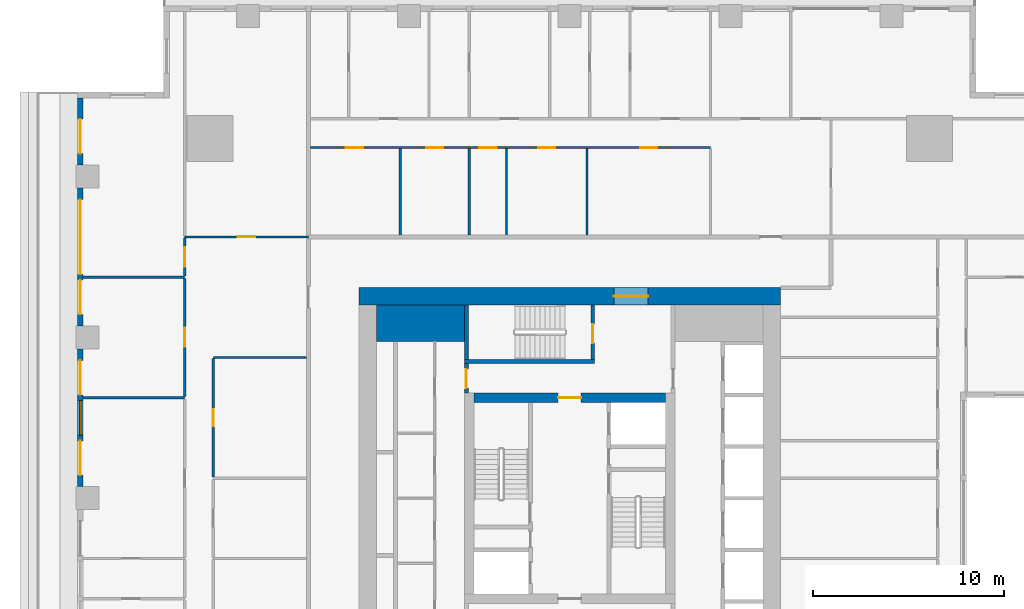
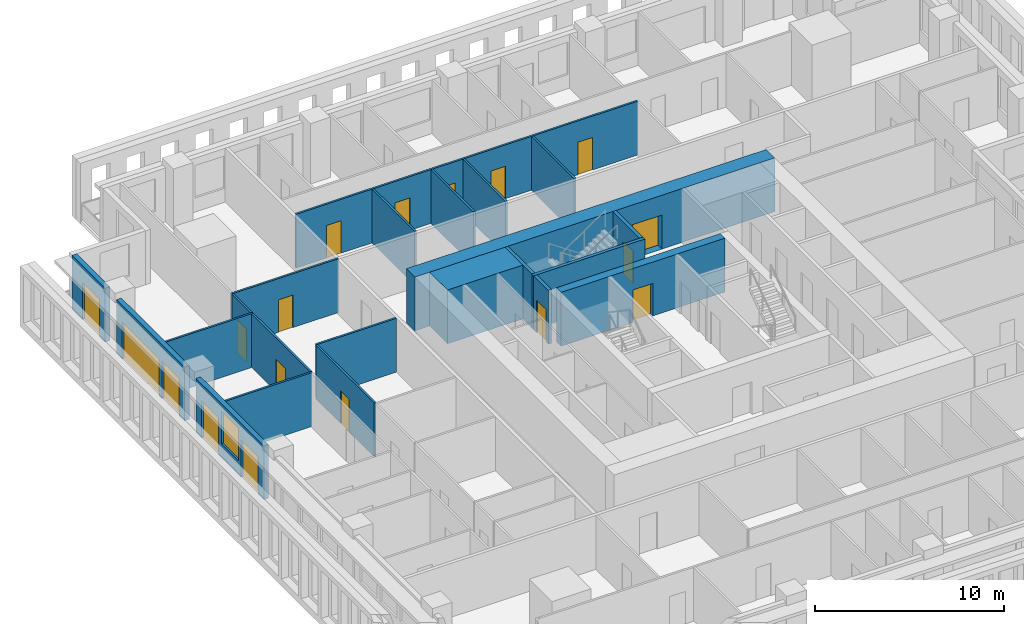
# One storey, part 6 of 15: 22 walls, 18 doors, 1 window, 19 openings.
"""IFC4 building model written with IfcOpenShell, lengths in metres."""

from ifc_helpers import new_model, si_unit, direction, frame, frame_2d, origin, place, context, subcontext, project, spatial, rectangle, extrude, material, layer, layer_set, type_object, element, fill, save


model = new_model("IFC4")

# Units and contexts
model_context = context("Model", 3, precision=1e-05, world=origin(), true_north=direction((0.0, 1.0)))
body_context = subcontext(model_context, "Body", "Model", "MODEL_VIEW")
ifc_project = project(units=[si_unit("LENGTHUNIT", "METRE"), si_unit("AREAUNIT", "SQUARE_METRE"), si_unit("VOLUMEUNIT", "CUBIC_METRE"), si_unit("PLANEANGLEUNIT", "RADIAN"), si_unit("MASSUNIT", "GRAM", prefix="KILO")], contexts=[model_context])

# Site, building, storey
site_placement = place(None, origin())
site = spatial("IfcSite", under=ifc_project, at=site_placement, CompositionType="ELEMENT")
building_placement = place(site_placement, origin())
building = spatial("IfcBuilding", under=site, at=building_placement, Name="Khepri Terraces", CompositionType="ELEMENT")
storey_placement = place(building_placement, frame((0.0, 0.0, 200.10009765625)))
storey = spatial("IfcBuildingStorey", under=building, at=storey_placement, Name="L47", CompositionType="ELEMENT", Elevation=200.10009765625)

# Walls
ifc_material_1 = material(Name="Concrete C50/60", Category="concrete")
ifc_layer_1 = layer(ifc_material_1, 1.89990234375, Name="Concrete C50/60", Category="concrete")
ifc_layer_set_1 = layer_set([ifc_layer_1], Name="Concrete C50/60")
wall_type_1 = type_object("IfcWallType", Name="Core wall 1900 C50/60", PredefinedType="SHEAR", material=ifc_layer_set_1)
wall_1_placement = place(storey_placement, frame((-10.10009765625, 9.14990234375, 0.0), z_axis=(0.0, 0.0, 1.0), x_axis=(1.0, 0.0, 0.0)))
element("IfcWall", 1, at=wall_1_placement, inside=storey, type_object=wall_type_1, Name="Core wall PR03 L47", PredefinedType="SHEAR", context=body_context, shape_type="SweptSolid", body=[
    extrude(rectangle(XDim=4.60009765625, YDim=1.89990234375, at=frame_2d((2.300048828125, 0.0))), origin(), (0.0, 0.0, 1.0), 3.47998046875),
])
ifc_layer_2 = layer(ifc_material_1, 0.199951171875, Name="Concrete C50/60", Category="concrete")
ifc_layer_set_2 = layer_set([ifc_layer_2], Name="Concrete C50/60")
wall_type_2 = type_object("IfcWallType", Name="Core wall 200 C50/60", PredefinedType="SHEAR", material=ifc_layer_set_2)
wall_2_placement = place(storey_placement, frame((-5.5, 7.14990234375, 0.0), z_axis=(0.0, 0.0, 1.0), x_axis=(1.0, 0.0, 0.0)))
element("IfcWall", 2, at=wall_2_placement, inside=storey, type_object=wall_type_2, Name="Core wall ST05 L47", PredefinedType="SHEAR", context=body_context, shape_type="SweptSolid", body=[
    extrude(rectangle(XDim=6.800048828125, YDim=0.199951171875, at=frame_2d((3.39990234375, 0.0))), origin(), (0.0, 0.0, 1.0), 3.47998046875),
])
wall_3_placement = place(storey_placement, frame((-5.39990234375, 7.25, 0.0), z_axis=(0.0, 0.0, 1.0), x_axis=(0.0, 1.0, 0.0)))
element("IfcWall", 3, at=wall_3_placement, inside=storey, type_object=wall_type_2, Name="Core wall ST06 L47", PredefinedType="SHEAR", context=body_context, shape_type="SweptSolid", body=[
    extrude(rectangle(XDim=2.85009765625, YDim=0.199951171875, at=frame_2d((1.425048828125, 0.0))), origin(), (0.0, 0.0, 1.0), 3.47998046875),
])

# Wall, opening, door
wall_4_placement = place(storey_placement, frame((1.199951171875, 7.25, 0.0), z_axis=(0.0, 0.0, 1.0), x_axis=(0.0, 1.0, 0.0)))
wall_4 = element("IfcWall", 4, at=wall_4_placement, inside=storey, type_object=wall_type_2, Name="Core wall ST07 L47", PredefinedType="SHEAR", context=body_context, shape_type="SweptSolid", body=[
    extrude(rectangle(XDim=2.85009765625, YDim=0.199951171875, at=frame_2d((1.425048828125, 0.0))), origin(), (0.0, 0.0, 1.0), 3.47998046875),
])
opening_1_placement = place(wall_4_placement, frame((0.85009765625, 0.0, 0.0)))
opening_1 = element("IfcOpeningElement", 5, at=opening_1_placement, cuts=wall_4, Name="Opening L47-C15", PredefinedType="OPENING", context=body_context, shape_type="SweptSolid", body=[
    extrude(rectangle(XDim=1.0, YDim=2.10009765625, at=frame_2d((0.5, 1.050048828125))), frame((0.0, 0.10986328125, 0.0), z_axis=(0.0, -1.0, 0.0), x_axis=(1.0, 0.0, 0.0)), (0.0, 0.0, 1.0), 0.219970703125),
])
ifc_material_2 = material(Name="Painted steel", Category="steel")
door_type_1 = type_object("IfcDoorType", Name="DR-CORE-STAIR-1000", OperationType="NOTDEFINED", PredefinedType="DOOR", material=ifc_material_2)
door_1_placement = place(opening_1_placement, origin())
door_1 = element("IfcDoor", 6, at=door_1_placement, inside=storey, type_object=door_type_1, Name="Stair door L47-C15", OperationType="SINGLE_SWING_LEFT", OverallHeight=2.10009765625, OverallWidth=1.0, PredefinedType="DOOR", context=body_context, shape_type="SweptSolid", body=[
    extrude(rectangle(XDim=1.0, YDim=2.10009765625, at=frame_2d((0.5, 1.050048828125))), frame((0.0, 0.02490234375, 0.0), z_axis=(0.0, -1.0, 0.0), x_axis=(1.0, 0.0, 0.0)), (0.0, 0.0, 1.0), 0.050048828125),
])
fill(opening_1, door_1)

ifc_layer_3 = layer(ifc_material_1, 0.5, Name="Concrete C50/60", Category="concrete")
ifc_layer_set_3 = layer_set([ifc_layer_3], Name="Concrete C50/60")
wall_type_3 = type_object("IfcWallType", Name="Core wall 500 C50/60", PredefinedType="SHEAR", material=ifc_layer_set_3)
wall_5_placement = place(storey_placement, frame((-5.0, 5.25, 0.0), z_axis=(0.0, 0.0, 1.0), x_axis=(1.0, 0.0, 0.0)))
wall_5 = element("IfcWall", 7, at=wall_5_placement, inside=storey, type_object=wall_type_3, Name="Core wall BX04 L47", PredefinedType="SHEAR", context=body_context, shape_type="SweptSolid", body=[
    extrude(rectangle(XDim=10.0, YDim=0.5, at=frame_2d((5.0, 0.0))), origin(), (0.0, 0.0, 1.0), 3.47998046875),
])
opening_2_placement = place(wall_5_placement, frame((4.39990234375, 0.0, 0.0)))
opening_2 = element("IfcOpeningElement", 8, at=opening_2_placement, cuts=wall_5, Name="Opening L47-C13", PredefinedType="OPENING", context=body_context, shape_type="SweptSolid", body=[
    extrude(rectangle(XDim=1.199951171875, YDim=2.10009765625, at=frame_2d((0.60009765625, 1.050048828125))), frame((0.0, 0.260009765625, 0.0), z_axis=(0.0, -1.0, 0.0), x_axis=(1.0, 0.0, 0.0)), (0.0, 0.0, 1.0), 0.52001953125),
])
door_type_2 = type_object("IfcDoorType", Name="DR-CORE-FF-LOBBY-1200", OperationType="NOTDEFINED", PredefinedType="DOOR", material=ifc_material_2)
door_2_placement = place(opening_2_placement, frame((1.199951171875, 0.0, 0.0), z_axis=(0.0, 0.0, 1.0), x_axis=(-1.0, 0.0, 0.0)))
door_2 = element("IfcDoor", 9, at=door_2_placement, inside=storey, type_object=door_type_2, Name="Firefighting lobby door L47-C13", OperationType="SINGLE_SWING_LEFT", OverallHeight=2.10009765625, OverallWidth=1.199951171875, PredefinedType="DOOR", context=body_context, shape_type="SweptSolid", body=[
    extrude(rectangle(XDim=1.199951171875, YDim=2.10009765625, at=frame_2d((0.60009765625, 1.050048828125))), frame((0.0, 0.02490234375, 0.0), z_axis=(0.0, -1.0, 0.0), x_axis=(1.0, 0.0, 0.0)), (0.0, 0.0, 1.0), 0.050048828125),
])
fill(opening_2, door_2)

ifc_layer_4 = layer(ifc_material_1, 0.89990234375, Name="Concrete C50/60", Category="concrete")
ifc_layer_set_4 = layer_set([ifc_layer_4], Name="Concrete C50/60")
wall_type_4 = type_object("IfcWallType", Name="Core wall 900 C50/60", PredefinedType="SHEAR", material=ifc_layer_set_4)
wall_6_placement = place(storey_placement, frame((-11.0, 10.550048828125, 0.0), z_axis=(0.0, 0.0, 1.0), x_axis=(1.0, 0.0, 0.0)))
wall_6 = element("IfcWall", 10, at=wall_6_placement, inside=storey, type_object=wall_type_4, Name="Core wall OW-N L47", PredefinedType="SHEAR", context=body_context, shape_type="SweptSolid", body=[
    extrude(rectangle(XDim=22.0, YDim=0.89990234375, at=frame_2d((11.0, 0.0))), origin(), (0.0, 0.0, 1.0), 3.47998046875),
])
opening_3_placement = place(wall_6_placement, frame((13.300048828125, 0.0, 0.0)))
opening_3 = element("IfcOpeningElement", 11, at=opening_3_placement, cuts=wall_6, Name="Opening L47-C20", PredefinedType="OPENING", context=body_context, shape_type="SweptSolid", body=[
    extrude(rectangle(XDim=1.800048828125, YDim=2.199951171875, at=frame_2d((0.89990234375, 1.10009765625))), frame((0.0, 0.4599609375, 0.0), z_axis=(0.0, -1.0, 0.0), x_axis=(1.0, 0.0, 0.0)), (0.0, 0.0, 1.0), 0.919921875),
])
door_type_3 = type_object("IfcDoorType", Name="DR-CORE-ENTRANCE-1800", OperationType="NOTDEFINED", PredefinedType="DOOR", material=ifc_material_2)
door_3_placement = place(opening_3_placement, origin())
door_3 = element("IfcDoor", 12, at=door_3_placement, inside=storey, type_object=door_type_3, Name="Core entrance door pair L47-C20", OperationType="DOUBLE_DOOR_SINGLE_SWING", OverallHeight=2.199951171875, OverallWidth=1.800048828125, PredefinedType="DOOR", context=body_context, shape_type="SweptSolid", body=[
    extrude(rectangle(XDim=1.800048828125, YDim=2.199951171875, at=frame_2d((0.89990234375, 1.10009765625))), frame((0.0, 0.02490234375, 0.0), z_axis=(0.0, -1.0, 0.0), x_axis=(1.0, 0.0, 0.0)), (0.0, 0.0, 1.0), 0.050048828125),
])
fill(opening_3, door_3)

ifc_material_3 = material(Name="Fire-rated gypsum board partition")
ifc_layer_5 = layer(ifc_material_3, 0.199951171875, Name="Fire-rated gypsum board partition")
ifc_layer_set_5 = layer_set([ifc_layer_5], Name="Fire-rated gypsum board partition")
wall_type_5 = type_object("IfcWallType", Name="WL-CORE-PART-200", PredefinedType="PARTITIONING", material=ifc_layer_set_5)
wall_7_placement = place(storey_placement, frame((-5.39990234375, 5.5, 0.0), z_axis=(0.0, 0.0, 1.0), x_axis=(0.0, 1.0, 0.0)))
wall_7 = element("IfcWall", 13, at=wall_7_placement, inside=storey, type_object=wall_type_5, Name="Core partition PT09 L47", PredefinedType="PARTITIONING", context=body_context, shape_type="SweptSolid", body=[
    extrude(rectangle(XDim=1.550048828125, YDim=0.199951171875, at=frame_2d((0.77490234375, 0.0))), origin(), (0.0, 0.0, 1.0), 3.47998046875),
])
opening_4_placement = place(wall_7_placement, frame((0.25, 0.0, 0.0)))
opening_4 = element("IfcOpeningElement", 14, at=opening_4_placement, cuts=wall_7, Name="Opening L47-C16", PredefinedType="OPENING", context=body_context, shape_type="SweptSolid", body=[
    extrude(rectangle(XDim=1.0, YDim=2.10009765625, at=frame_2d((0.5, 1.050048828125))), frame((0.0, 0.10986328125, 0.0), z_axis=(0.0, -1.0, 0.0), x_axis=(1.0, 0.0, 0.0)), (0.0, 0.0, 1.0), 0.219970703125),
])
door_type_4 = type_object("IfcDoorType", Name="DR-CORE-LOBBY-1000", OperationType="NOTDEFINED", PredefinedType="DOOR", material=ifc_material_2)
door_4_placement = place(opening_4_placement, frame((1.0, 0.0, 0.0), z_axis=(0.0, 0.0, 1.0), x_axis=(-1.0, 0.0, 0.0)))
door_4 = element("IfcDoor", 15, at=door_4_placement, inside=storey, type_object=door_type_4, Name="Lobby door L47-C16", OperationType="SINGLE_SWING_RIGHT", OverallHeight=2.10009765625, OverallWidth=1.0, PredefinedType="DOOR", context=body_context, shape_type="SweptSolid", body=[
    extrude(rectangle(XDim=1.0, YDim=2.10009765625, at=frame_2d((0.5, 1.050048828125))), frame((0.0, 0.02490234375, 0.0), z_axis=(0.0, -1.0, 0.0), x_axis=(1.0, 0.0, 0.0)), (0.0, 0.0, 1.0), 0.050048828125),
])
fill(opening_4, door_4)

ifc_material_4 = material(Name="Precast concrete C50/60 warm stone", Category="masonry")
ifc_layer_6 = layer(ifc_material_4, 0.300048828125, Name="Precast concrete C50/60 warm stone", Category="masonry")
ifc_layer_set_6 = layer_set([ifc_layer_6], Name="Precast concrete C50/60 warm stone")
wall_type_6 = type_object("IfcWallType", Name="WL-EXT-PRECAST-300", PredefinedType="STANDARD", material=ifc_layer_set_6)
wall_8_placement = place(storey_placement, frame((-25.570068359375, 20.919921875, 0.0), z_axis=(0.0, 0.0, 1.0), x_axis=(0.0, -1.0, 0.0)))
wall_8 = element("IfcWall", 16, at=wall_8_placement, inside=storey, type_object=wall_type_6, Name="External wall L47 W", PredefinedType="STANDARD", context=body_context, shape_type="SweptSolid", body=[
    extrude(rectangle(XDim=3.52001953125, YDim=0.300048828125, at=frame_2d((1.760009765625, 0.0))), origin(), (0.0, 0.0, 1.0), 3.47998046875),
])
opening_5_placement = place(wall_8_placement, frame((1.1201171875, 0.0, 0.0)))
opening_5 = element("IfcOpeningElement", 17, at=opening_5_placement, cuts=wall_8, Name="Opening ED-L47-09", PredefinedType="OPENING", context=body_context, shape_type="SweptSolid", body=[
    extrude(rectangle(XDim=1.800048828125, YDim=2.39990234375, at=frame_2d((0.89990234375, 1.199951171875))), frame((0.0, 0.16015625, 0.0), z_axis=(0.0, -1.0, 0.0), x_axis=(1.0, 0.0, 0.0)), (0.0, 0.0, 1.0), 0.320068359375),
])
ifc_material_5 = material(Name="Anodised aluminium bronze glazed door", Category="aluminium")
door_type_5 = type_object("IfcDoorType", Name="DR-BAL-SLIDE-1800x2400", OperationType="NOTDEFINED", PredefinedType="DOOR", material=ifc_material_5)
door_5_placement = place(opening_5_placement, origin())
door_5 = element("IfcDoor", 18, at=door_5_placement, inside=storey, type_object=door_type_5, Name="Balcony door L47 W", OperationType="SLIDING_TO_RIGHT", OverallHeight=2.39990234375, OverallWidth=1.800048828125, PredefinedType="DOOR", context=body_context, shape_type="SweptSolid", body=[
    extrude(rectangle(XDim=1.800048828125, YDim=2.39990234375, at=frame_2d((0.89990234375, 1.199951171875))), frame((0.0, 0.02490234375, 0.0), z_axis=(0.0, -1.0, 0.0), x_axis=(1.0, 0.0, 0.0)), (0.0, 0.0, 1.0), 0.050048828125),
])
fill(opening_5, door_5)

# Wall, openings, doors
wall_9_placement = place(storey_placement, frame((-25.570068359375, 16.199951171875, 0.0), z_axis=(0.0, 0.0, 1.0), x_axis=(0.0, -1.0, 0.0)))
wall_9 = element("IfcWall", 19, at=wall_9_placement, inside=storey, type_object=wall_type_6, Name="External wall L47 W", PredefinedType="STANDARD", context=body_context, shape_type="SweptSolid", body=[
    extrude(rectangle(XDim=7.199951171875, YDim=0.300048828125, at=frame_2d((3.60009765625, 0.0))), origin(), (0.0, 0.0, 1.0), 3.47998046875),
])
opening_6_placement = place(wall_9_placement, frame((0.60009765625, 0.0, 0.0)))
opening_6 = element("IfcOpeningElement", 20, at=opening_6_placement, cuts=wall_9, Name="Opening ED-L47-10", PredefinedType="OPENING", context=body_context, shape_type="SweptSolid", body=[
    extrude(rectangle(XDim=3.89990234375, YDim=2.39990234375, at=frame_2d((1.949951171875, 1.199951171875))), frame((0.0, 0.16015625, 0.0), z_axis=(0.0, -1.0, 0.0), x_axis=(1.0, 0.0, 0.0)), (0.0, 0.0, 1.0), 0.320068359375),
])
opening_7_placement = place(wall_9_placement, frame((4.800048828125, 0.0, 0.0)))
opening_7 = element("IfcOpeningElement", 21, at=opening_7_placement, cuts=wall_9, Name="Opening ED-L47-11", PredefinedType="OPENING", context=body_context, shape_type="SweptSolid", body=[
    extrude(rectangle(XDim=1.800048828125, YDim=2.39990234375, at=frame_2d((0.89990234375, 1.199951171875))), frame((0.0, 0.16015625, 0.0), z_axis=(0.0, -1.0, 0.0), x_axis=(1.0, 0.0, 0.0)), (0.0, 0.0, 1.0), 0.320068359375),
])
door_6_placement = place(opening_7_placement, origin())
door_6 = element("IfcDoor", 22, at=door_6_placement, inside=storey, type_object=door_type_5, Name="Balcony door L47 W", OperationType="SLIDING_TO_RIGHT", OverallHeight=2.39990234375, OverallWidth=1.800048828125, PredefinedType="DOOR", context=body_context, shape_type="SweptSolid", body=[
    extrude(rectangle(XDim=1.800048828125, YDim=2.39990234375, at=frame_2d((0.89990234375, 1.199951171875))), frame((0.0, 0.02490234375, 0.0), z_axis=(0.0, -1.0, 0.0), x_axis=(1.0, 0.0, 0.0)), (0.0, 0.0, 1.0), 0.050048828125),
])
fill(opening_7, door_6)
door_type_6 = type_object("IfcDoorType", Name="DR-BAL-SLIDE-3900x2400", OperationType="NOTDEFINED", PredefinedType="DOOR", material=ifc_material_5)
door_7_placement = place(opening_6_placement, origin())
door_7 = element("IfcDoor", 23, at=door_7_placement, inside=storey, type_object=door_type_6, Name="Balcony door L47 W", OperationType="SLIDING_TO_LEFT", OverallHeight=2.39990234375, OverallWidth=3.89990234375, PredefinedType="DOOR", context=body_context, shape_type="SweptSolid", body=[
    extrude(rectangle(XDim=3.89990234375, YDim=2.39990234375, at=frame_2d((1.949951171875, 1.199951171875))), frame((0.0, 0.02490234375, 0.0), z_axis=(0.0, -1.0, 0.0), x_axis=(1.0, 0.0, 0.0)), (0.0, 0.0, 1.0), 0.050048828125),
])
fill(opening_6, door_7)

# Wall, openings, doors, window
wall_10_placement = place(storey_placement, frame((-25.570068359375, 7.800048828125, 0.0), z_axis=(0.0, 0.0, 1.0), x_axis=(0.0, -1.0, 0.0)))
wall_10 = element("IfcWall", 24, at=wall_10_placement, inside=storey, type_object=wall_type_6, Name="External wall L47 W", PredefinedType="STANDARD", context=body_context, shape_type="SweptSolid", body=[
    extrude(rectangle(XDim=7.199951171875, YDim=0.300048828125, at=frame_2d((3.60009765625, 0.0))), origin(), (0.0, 0.0, 1.0), 3.47998046875),
])
opening_8_placement = place(wall_10_placement, frame((0.60009765625, 0.0, 0.0)))
opening_8 = element("IfcOpeningElement", 25, at=opening_8_placement, cuts=wall_10, Name="Opening ED-L47-12", PredefinedType="OPENING", context=body_context, shape_type="SweptSolid", body=[
    extrude(rectangle(XDim=1.800048828125, YDim=2.39990234375, at=frame_2d((0.89990234375, 1.199951171875))), frame((0.0, 0.16015625, 0.0), z_axis=(0.0, -1.0, 0.0), x_axis=(1.0, 0.0, 0.0)), (0.0, 0.0, 1.0), 0.320068359375),
])
opening_9_placement = place(wall_10_placement, frame((2.699951171875, 0.0, 0.89990234375)))
opening_9 = element("IfcOpeningElement", 26, at=opening_9_placement, cuts=wall_10, Name="Opening W1", PredefinedType="OPENING", context=body_context, shape_type="SweptSolid", body=[
    extrude(rectangle(XDim=1.800048828125, YDim=2.10009765625, at=frame_2d((0.89990234375, 1.050048828125))), frame((0.0, 0.16015625, 0.0), z_axis=(0.0, -1.0, 0.0), x_axis=(1.0, 0.0, 0.0)), (0.0, 0.0, 1.0), 0.320068359375),
])
opening_10_placement = place(wall_10_placement, frame((4.800048828125, 0.0, 0.0)))
opening_10 = element("IfcOpeningElement", 27, at=opening_10_placement, cuts=wall_10, Name="Opening ED-L47-13", PredefinedType="OPENING", context=body_context, shape_type="SweptSolid", body=[
    extrude(rectangle(XDim=1.800048828125, YDim=2.39990234375, at=frame_2d((0.89990234375, 1.199951171875))), frame((0.0, 0.16015625, 0.0), z_axis=(0.0, -1.0, 0.0), x_axis=(1.0, 0.0, 0.0)), (0.0, 0.0, 1.0), 0.320068359375),
])
door_8_placement = place(opening_8_placement, origin())
door_8 = element("IfcDoor", 28, at=door_8_placement, inside=storey, type_object=door_type_5, Name="Balcony door L47 W", OperationType="SLIDING_TO_LEFT", OverallHeight=2.39990234375, OverallWidth=1.800048828125, PredefinedType="DOOR", context=body_context, shape_type="SweptSolid", body=[
    extrude(rectangle(XDim=1.800048828125, YDim=2.39990234375, at=frame_2d((0.89990234375, 1.199951171875))), frame((0.0, 0.02490234375, 0.0), z_axis=(0.0, -1.0, 0.0), x_axis=(1.0, 0.0, 0.0)), (0.0, 0.0, 1.0), 0.050048828125),
])
fill(opening_8, door_8)
door_9_placement = place(opening_10_placement, origin())
door_9 = element("IfcDoor", 29, at=door_9_placement, inside=storey, type_object=door_type_5, Name="Balcony door L47 W", OperationType="SLIDING_TO_RIGHT", OverallHeight=2.39990234375, OverallWidth=1.800048828125, PredefinedType="DOOR", context=body_context, shape_type="SweptSolid", body=[
    extrude(rectangle(XDim=1.800048828125, YDim=2.39990234375, at=frame_2d((0.89990234375, 1.199951171875))), frame((0.0, 0.02490234375, 0.0), z_axis=(0.0, -1.0, 0.0), x_axis=(1.0, 0.0, 0.0)), (0.0, 0.0, 1.0), 0.050048828125),
])
fill(opening_10, door_9)
ifc_material_6 = material(Name="Clear glass", Category="glass")
window_type = type_object("IfcWindowType", Name="WIN-RES-1800x2100", PartitioningType="SINGLE_PANEL", PredefinedType="WINDOW", material=ifc_material_6)
window_placement = place(opening_9_placement, origin())
window = element("IfcWindow", 30, at=window_placement, inside=storey, type_object=window_type, Name="Window L47 W", OverallHeight=2.10009765625, OverallWidth=1.800048828125, PartitioningType="SINGLE_PANEL", PredefinedType="WINDOW", context=body_context, shape_type="SweptSolid", body=[
    extrude(rectangle(XDim=1.800048828125, YDim=2.10009765625, at=frame_2d((0.89990234375, 1.050048828125))), frame((0.0, 0.030029296875, 0.0), z_axis=(0.0, -1.0, 0.0), x_axis=(1.0, 0.0, 0.0)), (0.0, 0.0, 1.0), 0.06005859375),
])
fill(opening_9, window)

# Wall, opening, door
ifc_material_7 = material(Name="Gypsum plasterboard partition")
ifc_layer_7 = layer(ifc_material_7, 0.1201171875, Name="Gypsum plasterboard partition")
ifc_layer_set_7 = layer_set([ifc_layer_7], Name="Gypsum plasterboard partition")
wall_type_7 = type_object("IfcWallType", Name="WL-PART-120", PredefinedType="PARTITIONING", material=ifc_layer_set_7)
wall_11_placement = place(storey_placement, frame((-18.6201171875, 1.110107421875, 0.0), z_axis=(0.0, 0.0, 1.0), x_axis=(0.0, 1.0, 0.0)))
wall_11 = element("IfcWall", 31, at=wall_11_placement, inside=storey, type_object=wall_type_7, Name="Partition P-050 L47", PredefinedType="PARTITIONING", context=body_context, shape_type="SweptSolid", body=[
    extrude(rectangle(XDim=6.179931640625, YDim=0.1201171875, at=frame_2d((3.08984375, 0.0))), origin(), (0.0, 0.0, 1.0), 3.47998046875),
])
opening_11_placement = place(wall_11_placement, frame((2.639892578125, 0.0, 0.0)))
opening_11 = element("IfcOpeningElement", 32, at=opening_11_placement, cuts=wall_11, Name="Opening D3", PredefinedType="OPENING", context=body_context, shape_type="SweptSolid", body=[
    extrude(rectangle(XDim=0.89990234375, YDim=2.10009765625, at=frame_2d((0.449951171875, 1.050048828125))), frame((0.0, 0.070068359375, 0.0), z_axis=(0.0, -1.0, 0.0), x_axis=(1.0, 0.0, 0.0)), (0.0, 0.0, 1.0), 0.14013671875),
])
ifc_material_8 = material(Name="Timber door leaf", Category="wood")
door_type_7 = type_object("IfcDoorType", Name="DR-INT-900", OperationType="NOTDEFINED", PredefinedType="DOOR", material=ifc_material_8)
door_10_placement = place(opening_11_placement, frame((0.89990234375, 0.0, 0.0), z_axis=(0.0, 0.0, 1.0), x_axis=(-1.0, 0.0, 0.0)))
door_10 = element("IfcDoor", 33, at=door_10_placement, inside=storey, type_object=door_type_7, Name="Door Kitchen", OperationType="SINGLE_SWING_LEFT", OverallHeight=2.10009765625, OverallWidth=0.89990234375, PredefinedType="DOOR", context=body_context, shape_type="SweptSolid", body=[
    extrude(rectangle(XDim=0.89990234375, YDim=2.10009765625, at=frame_2d((0.449951171875, 1.050048828125))), frame((0.0, 0.02490234375, 0.0), z_axis=(0.0, -1.0, 0.0), x_axis=(1.0, 0.0, 0.0)), (0.0, 0.0, 1.0), 0.050048828125),
])
fill(opening_11, door_10)

# Wall
wall_12_placement = place(storey_placement, frame((-25.419921875, 5.25, 0.0), z_axis=(0.0, 0.0, 1.0), x_axis=(1.0, 0.0, 0.0)))
element("IfcWall", 34, at=wall_12_placement, inside=storey, type_object=wall_type_7, Name="Partition P-054 L47", PredefinedType="PARTITIONING", context=body_context, shape_type="SweptSolid", body=[
    extrude(rectangle(XDim=5.2998046875, YDim=0.1201171875, at=frame_2d((2.64990234375, 0.0))), origin(), (0.0, 0.0, 1.0), 3.47998046875),
])

# Wall, opening, door
wall_13_placement = place(storey_placement, frame((-20.1201171875, 5.31005859375, 0.0), z_axis=(0.0, 0.0, 1.0), x_axis=(0.0, 1.0, 0.0)))
wall_13 = element("IfcWall", 35, at=wall_13_placement, inside=storey, type_object=wall_type_7, Name="Partition P-056 L47", PredefinedType="PARTITIONING", context=body_context, shape_type="SweptSolid", body=[
    extrude(rectangle(XDim=6.179931640625, YDim=0.1201171875, at=frame_2d((3.08984375, 0.0))), origin(), (0.0, 0.0, 1.0), 3.47998046875),
])
opening_12_placement = place(wall_13_placement, frame((2.590087890625, 0.0, 0.0)))
opening_12 = element("IfcOpeningElement", 36, at=opening_12_placement, cuts=wall_13, Name="Opening D2", PredefinedType="OPENING", context=body_context, shape_type="SweptSolid", body=[
    extrude(rectangle(XDim=1.0, YDim=2.10009765625, at=frame_2d((0.5, 1.050048828125))), frame((0.0, 0.070068359375, 0.0), z_axis=(0.0, -1.0, 0.0), x_axis=(1.0, 0.0, 0.0)), (0.0, 0.0, 1.0), 0.14013671875),
])
ifc_material_9 = material(Name="Timber door leaf, living room door", Category="wood")
door_type_8 = type_object("IfcDoorType", Name="DR-INT-1000", OperationType="NOTDEFINED", PredefinedType="DOOR", material=ifc_material_9)
door_11_placement = place(opening_12_placement, origin())
door_11 = element("IfcDoor", 37, at=door_11_placement, inside=storey, type_object=door_type_8, Name="Door Family Room", OperationType="SINGLE_SWING_RIGHT", OverallHeight=2.10009765625, OverallWidth=1.0, PredefinedType="DOOR", context=body_context, shape_type="SweptSolid", body=[
    extrude(rectangle(XDim=1.0, YDim=2.10009765625, at=frame_2d((0.5, 1.050048828125))), frame((0.0, 0.02490234375, 0.0), z_axis=(0.0, -1.0, 0.0), x_axis=(1.0, 0.0, 0.0)), (0.0, 0.0, 1.0), 0.050048828125),
])
fill(opening_12, door_11)

# Walls
wall_14_placement = place(storey_placement, frame((-18.6201171875, 7.35009765625, 0.0), z_axis=(0.0, 0.0, 1.0), x_axis=(1.0, 0.0, 0.0)))
element("IfcWall", 38, at=wall_14_placement, inside=storey, type_object=wall_type_7, Name="Partition P-057 L47", PredefinedType="PARTITIONING", context=body_context, shape_type="SweptSolid", body=[
    extrude(rectangle(XDim=4.8701171875, YDim=0.1201171875, at=frame_2d((2.43505859375, 0.0))), origin(), (0.0, 0.0, 1.0), 3.47998046875),
])
wall_15_placement = place(storey_placement, frame((-25.419921875, 11.550048828125, 0.0), z_axis=(0.0, 0.0, 1.0), x_axis=(1.0, 0.0, 0.0)))
element("IfcWall", 39, at=wall_15_placement, inside=storey, type_object=wall_type_7, Name="Partition P-064 L47", PredefinedType="PARTITIONING", context=body_context, shape_type="SweptSolid", body=[
    extrude(rectangle(XDim=5.2998046875, YDim=0.1201171875, at=frame_2d((2.64990234375, 0.0))), origin(), (0.0, 0.0, 1.0), 3.47998046875),
])

# Wall, opening, door
wall_16_placement = place(storey_placement, frame((-20.1201171875, 11.610107421875, 0.0), z_axis=(0.0, 0.0, 1.0), x_axis=(0.0, 1.0, 0.0)))
wall_16 = element("IfcWall", 40, at=wall_16_placement, inside=storey, type_object=wall_type_7, Name="Partition P-066 L47", PredefinedType="PARTITIONING", context=body_context, shape_type="SweptSolid", body=[
    extrude(rectangle(XDim=1.97998046875, YDim=0.1201171875, at=frame_2d((0.989990234375, 0.0))), origin(), (0.0, 0.0, 1.0), 3.47998046875),
])
opening_13_placement = place(wall_16_placement, frame((0.489990234375, 0.0, 0.0)))
opening_13 = element("IfcOpeningElement", 41, at=opening_13_placement, cuts=wall_16, Name="Opening D2", PredefinedType="OPENING", context=body_context, shape_type="SweptSolid", body=[
    extrude(rectangle(XDim=1.0, YDim=2.10009765625, at=frame_2d((0.5, 1.050048828125))), frame((0.0, 0.070068359375, 0.0), z_axis=(0.0, -1.0, 0.0), x_axis=(1.0, 0.0, 0.0)), (0.0, 0.0, 1.0), 0.14013671875),
])
door_12_placement = place(opening_13_placement, origin())
door_12 = element("IfcDoor", 42, at=door_12_placement, inside=storey, type_object=door_type_8, Name="Door Living Room", OperationType="SINGLE_SWING_RIGHT", OverallHeight=2.10009765625, OverallWidth=1.0, PredefinedType="DOOR", context=body_context, shape_type="SweptSolid", body=[
    extrude(rectangle(XDim=1.0, YDim=2.10009765625, at=frame_2d((0.5, 1.050048828125))), frame((0.0, 0.02490234375, 0.0), z_axis=(0.0, -1.0, 0.0), x_axis=(1.0, 0.0, 0.0)), (0.0, 0.0, 1.0), 0.050048828125),
])
fill(opening_13, door_12)

wall_17_placement = place(storey_placement, frame((-20.1201171875, 13.64990234375, 0.0), z_axis=(0.0, 0.0, 1.0), x_axis=(1.0, 0.0, 0.0)))
wall_17 = element("IfcWall", 43, at=wall_17_placement, inside=storey, type_object=wall_type_7, Name="Partition P-068 L47", PredefinedType="PARTITIONING", context=body_context, shape_type="SweptSolid", body=[
    extrude(rectangle(XDim=6.47021484375, YDim=0.1201171875, at=frame_2d((3.235107421875, 0.0))), origin(), (0.0, 0.0, 1.0), 3.47998046875),
])
opening_14_placement = place(wall_17_placement, frame((2.784912109375, 0.0, 0.0)))
opening_14 = element("IfcOpeningElement", 44, at=opening_14_placement, cuts=wall_17, Name="Opening D3", PredefinedType="OPENING", context=body_context, shape_type="SweptSolid", body=[
    extrude(rectangle(XDim=0.89990234375, YDim=2.10009765625, at=frame_2d((0.449951171875, 1.050048828125))), frame((0.0, 0.070068359375, 0.0), z_axis=(0.0, -1.0, 0.0), x_axis=(1.0, 0.0, 0.0)), (0.0, 0.0, 1.0), 0.14013671875),
])
door_13_placement = place(opening_14_placement, origin())
door_13 = element("IfcDoor", 45, at=door_13_placement, inside=storey, type_object=door_type_7, Name="Door Home Gym", OperationType="SINGLE_SWING_LEFT", OverallHeight=2.10009765625, OverallWidth=0.89990234375, PredefinedType="DOOR", context=body_context, shape_type="SweptSolid", body=[
    extrude(rectangle(XDim=0.89990234375, YDim=2.10009765625, at=frame_2d((0.449951171875, 1.050048828125))), frame((0.0, 0.02490234375, 0.0), z_axis=(0.0, -1.0, 0.0), x_axis=(1.0, 0.0, 0.0)), (0.0, 0.0, 1.0), 0.050048828125),
])
fill(opening_14, door_13)

# Walls
for number, where, z_axis, x_axis, name in (
    (46, (-8.85009765625, 13.75, 0.0), (0.0, 0.0, 1.0), (0.0, 1.0, 0.0), "Partition P-072 L47"),
    (47, (-5.25, 13.75, 0.0), (0.0, 0.0, 1.0), (0.0, 1.0, 0.0), "Partition P-073 L47"),
    (48, (-3.300048828125, 13.75, 0.0), (0.0, 0.0, 1.0), (0.0, 1.0, 0.0), "Partition P-074 L47"),
    (49, (0.89990234375, 13.75, 0.0), (0.0, 0.0, 1.0), (0.0, 1.0, 0.0), "Partition P-075 L47"),
):
    element("IfcWall", number, at=place(storey_placement, frame(where, z_axis=z_axis, x_axis=x_axis)), inside=storey, type_object=wall_type_7, Name=name, PredefinedType="PARTITIONING", context=body_context, shape_type="SweptSolid", body=[
        extrude(rectangle(XDim=4.510009765625, YDim=0.1201171875, at=frame_2d((2.2548828125, 0.0))), origin(), (0.0, 0.0, 1.0), 3.47998046875),
    ])

# Wall, openings, doors
wall_18_placement = place(storey_placement, frame((-13.550048828125, 18.320068359375, 0.0), z_axis=(0.0, 0.0, 1.0), x_axis=(1.0, 0.0, 0.0)))
wall_18 = element("IfcWall", 50, at=wall_18_placement, inside=storey, type_object=wall_type_7, Name="Partition P-078 L47", PredefinedType="PARTITIONING", context=body_context, shape_type="SweptSolid", body=[
    extrude(rectangle(XDim=20.900146484375, YDim=0.1201171875, at=frame_2d((10.4501953125, 0.0))), origin(), (0.0, 0.0, 1.0), 3.47998046875),
])
opening_15_placement = place(wall_18_placement, frame((17.22509765625, 0.0, 0.0)))
opening_15 = element("IfcOpeningElement", 51, at=opening_15_placement, cuts=wall_18, Name="Opening D3", PredefinedType="OPENING", context=body_context, shape_type="SweptSolid", body=[
    extrude(rectangle(XDim=0.89990234375, YDim=2.10009765625, at=frame_2d((0.449951171875, 1.050048828125))), frame((0.0, 0.070068359375, 0.0), z_axis=(0.0, -1.0, 0.0), x_axis=(1.0, 0.0, 0.0)), (0.0, 0.0, 1.0), 0.14013671875),
])
opening_16_placement = place(wall_18_placement, frame((11.89990234375, 0.0, 0.0)))
opening_16 = element("IfcOpeningElement", 52, at=opening_16_placement, cuts=wall_18, Name="Opening D3", PredefinedType="OPENING", context=body_context, shape_type="SweptSolid", body=[
    extrude(rectangle(XDim=0.89990234375, YDim=2.10009765625, at=frame_2d((0.449951171875, 1.050048828125))), frame((0.0, 0.070068359375, 0.0), z_axis=(0.0, -1.0, 0.0), x_axis=(1.0, 0.0, 0.0)), (0.0, 0.0, 1.0), 0.14013671875),
])
opening_17_placement = place(wall_18_placement, frame((8.824951171875, 0.0, 0.0)))
opening_17 = element("IfcOpeningElement", 53, at=opening_17_placement, cuts=wall_18, Name="Opening D4", PredefinedType="OPENING", context=body_context, shape_type="SweptSolid", body=[
    extrude(rectangle(XDim=0.89990234375, YDim=2.10009765625, at=frame_2d((0.449951171875, 1.050048828125))), frame((0.0, 0.070068359375, 0.0), z_axis=(0.0, -1.0, 0.0), x_axis=(1.0, 0.0, 0.0)), (0.0, 0.0, 1.0), 0.14013671875),
])
opening_18_placement = place(wall_18_placement, frame((6.050048828125, 0.0, 0.0)))
opening_18 = element("IfcOpeningElement", 54, at=opening_18_placement, cuts=wall_18, Name="Opening D3", PredefinedType="OPENING", context=body_context, shape_type="SweptSolid", body=[
    extrude(rectangle(XDim=0.89990234375, YDim=2.10009765625, at=frame_2d((0.449951171875, 1.050048828125))), frame((0.0, 0.070068359375, 0.0), z_axis=(0.0, -1.0, 0.0), x_axis=(1.0, 0.0, 0.0)), (0.0, 0.0, 1.0), 0.14013671875),
])
opening_19_placement = place(wall_18_placement, frame((1.85009765625, 0.0, 0.0)))
opening_19 = element("IfcOpeningElement", 55, at=opening_19_placement, cuts=wall_18, Name="Opening D4", PredefinedType="OPENING", context=body_context, shape_type="SweptSolid", body=[
    extrude(rectangle(XDim=0.89990234375, YDim=2.10009765625, at=frame_2d((0.449951171875, 1.050048828125))), frame((0.0, 0.070068359375, 0.0), z_axis=(0.0, -1.0, 0.0), x_axis=(1.0, 0.0, 0.0)), (0.0, 0.0, 1.0), 0.14013671875),
])
door_14_placement = place(opening_15_placement, frame((0.89990234375, 0.0, 0.0), z_axis=(0.0, 0.0, 1.0), x_axis=(-1.0, 0.0, 0.0)))
door_14 = element("IfcDoor", 56, at=door_14_placement, inside=storey, type_object=door_type_7, Name="Door Kitchen", OperationType="SINGLE_SWING_LEFT", OverallHeight=2.10009765625, OverallWidth=0.89990234375, PredefinedType="DOOR", context=body_context, shape_type="SweptSolid", body=[
    extrude(rectangle(XDim=0.89990234375, YDim=2.10009765625, at=frame_2d((0.449951171875, 1.050048828125))), frame((0.0, 0.02490234375, 0.0), z_axis=(0.0, -1.0, 0.0), x_axis=(1.0, 0.0, 0.0)), (0.0, 0.0, 1.0), 0.050048828125),
])
fill(opening_15, door_14)
door_15_placement = place(opening_16_placement, frame((0.89990234375, 0.0, 0.0), z_axis=(0.0, 0.0, 1.0), x_axis=(-1.0, 0.0, 0.0)))
door_15 = element("IfcDoor", 57, at=door_15_placement, inside=storey, type_object=door_type_7, Name="Door Service Store", OperationType="SINGLE_SWING_LEFT", OverallHeight=2.10009765625, OverallWidth=0.89990234375, PredefinedType="DOOR", context=body_context, shape_type="SweptSolid", body=[
    extrude(rectangle(XDim=0.89990234375, YDim=2.10009765625, at=frame_2d((0.449951171875, 1.050048828125))), frame((0.0, 0.02490234375, 0.0), z_axis=(0.0, -1.0, 0.0), x_axis=(1.0, 0.0, 0.0)), (0.0, 0.0, 1.0), 0.050048828125),
])
fill(opening_16, door_15)
door_16_placement = place(opening_18_placement, frame((0.89990234375, 0.0, 0.0), z_axis=(0.0, 0.0, 1.0), x_axis=(-1.0, 0.0, 0.0)))
door_16 = element("IfcDoor", 58, at=door_16_placement, inside=storey, type_object=door_type_7, Name="Door Utility Room", OperationType="SINGLE_SWING_RIGHT", OverallHeight=2.10009765625, OverallWidth=0.89990234375, PredefinedType="DOOR", context=body_context, shape_type="SweptSolid", body=[
    extrude(rectangle(XDim=0.89990234375, YDim=2.10009765625, at=frame_2d((0.449951171875, 1.050048828125))), frame((0.0, 0.02490234375, 0.0), z_axis=(0.0, -1.0, 0.0), x_axis=(1.0, 0.0, 0.0)), (0.0, 0.0, 1.0), 0.050048828125),
])
fill(opening_18, door_16)
ifc_material_10 = material(Name="Timber door leaf, moisture resistant", Category="wood")
door_type_9 = type_object("IfcDoorType", Name="DR-WET-900", OperationType="NOTDEFINED", PredefinedType="DOOR", material=ifc_material_10)
door_17_placement = place(opening_17_placement, frame((0.89990234375, 0.0, 0.0), z_axis=(0.0, 0.0, 1.0), x_axis=(-1.0, 0.0, 0.0)))
door_17 = element("IfcDoor", 59, at=door_17_placement, inside=storey, type_object=door_type_9, Name="Door Powder Room", OperationType="SINGLE_SWING_RIGHT", OverallHeight=2.10009765625, OverallWidth=0.89990234375, PredefinedType="DOOR", context=body_context, shape_type="SweptSolid", body=[
    extrude(rectangle(XDim=0.89990234375, YDim=2.10009765625, at=frame_2d((0.449951171875, 1.050048828125))), frame((0.0, 0.02490234375, 0.0), z_axis=(0.0, -1.0, 0.0), x_axis=(1.0, 0.0, 0.0)), (0.0, 0.0, 1.0), 0.050048828125),
])
fill(opening_17, door_17)
door_18_placement = place(opening_19_placement, frame((0.89990234375, 0.0, 0.0), z_axis=(0.0, 0.0, 1.0), x_axis=(-1.0, 0.0, 0.0)))
door_18 = element("IfcDoor", 60, at=door_18_placement, inside=storey, type_object=door_type_9, Name="Door Guest Bathroom", OperationType="SINGLE_SWING_RIGHT", OverallHeight=2.10009765625, OverallWidth=0.89990234375, PredefinedType="DOOR", context=body_context, shape_type="SweptSolid", body=[
    extrude(rectangle(XDim=0.89990234375, YDim=2.10009765625, at=frame_2d((0.449951171875, 1.050048828125))), frame((0.0, 0.02490234375, 0.0), z_axis=(0.0, -1.0, 0.0), x_axis=(1.0, 0.0, 0.0)), (0.0, 0.0, 1.0), 0.050048828125),
])
fill(opening_19, door_18)

save(model, "model.ifc")
